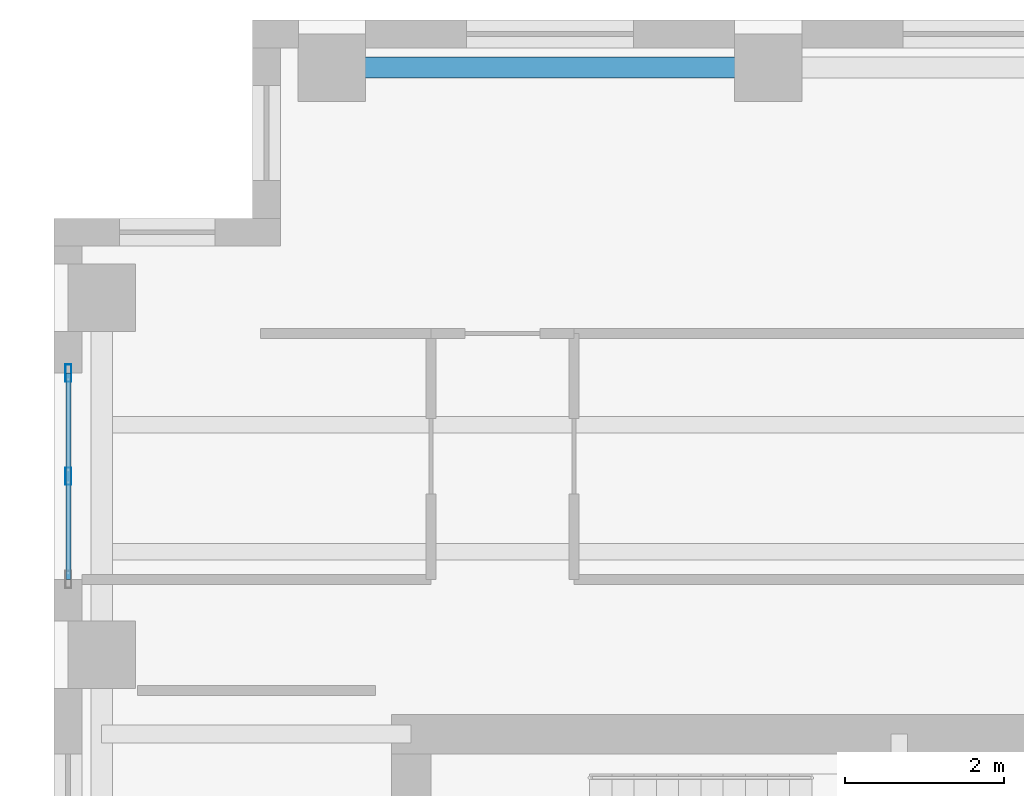
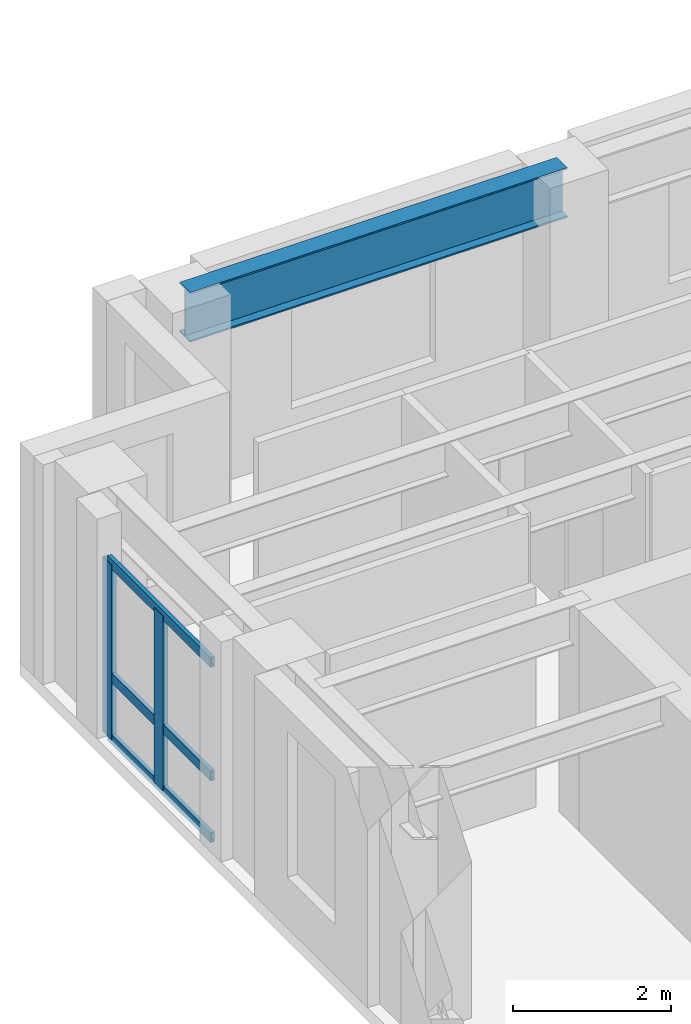
# One storey, part 4 of 11: 5 members, 1 beam, 1 element without a shape of its own.
"""IFC4 building model written with IfcOpenShell, lengths in metres."""

from ifc_helpers import new_model, si_unit, direction, frame, origin, origin_2d, place, context, subcontext, project, spatial, hollow_rectangle, i_section, extrude, source, transform, mapped, material, layer, layer_set, material_profile, profile_set, type_object, element, aggregate, save


model = new_model("IFC4")

# Units and contexts
model_context = context("Model", 3, precision=1e-05, world=origin(), true_north=direction((0.0, 1.0)))
body_context = subcontext(model_context, "Body", "Model", "MODEL_VIEW")
ifc_project = project(units=[si_unit("LENGTHUNIT", "METRE"), si_unit("AREAUNIT", "SQUARE_METRE"), si_unit("VOLUMEUNIT", "CUBIC_METRE"), si_unit("PLANEANGLEUNIT", "RADIAN"), si_unit("MASSUNIT", "GRAM", prefix="KILO")], contexts=[model_context])

# Site, building, storey
site_placement = place(None, origin())
site = spatial("IfcSite", under=ifc_project, at=site_placement, CompositionType="ELEMENT")
building_placement = place(site_placement, origin())
building = spatial("IfcBuilding", under=site, at=building_placement, Name="Kharzan Plaza Tower", CompositionType="ELEMENT")
storey_placement = place(building_placement, frame((0.0, 0.0, 262.800048828125)))
storey = spatial("IfcBuildingStorey", under=building, at=storey_placement, Name="L71", CompositionType="ELEMENT", Elevation=262.800048828125)

# Curtain wall, members
ifc_material_1 = material(Name="Unitised Bronze-Anodized Aluminium and Low-E Glass", Category="aluminium")
ifc_layer = layer(ifc_material_1, 0.199951171875)
ifc_layer_set = layer_set([ifc_layer], Name="Unitised Bronze-Anodized Aluminium and Low-E Glass")
curtain_wall_type = type_object("IfcCurtainWallType", Name="CW-EXEC-5", PredefinedType="NOTDEFINED", material=ifc_layer_set)
curtain_wall_placement = place(storey_placement, origin())
curtain_wall = element("IfcCurtainWall", 1, at=curtain_wall_placement, inside=storey, type_object=curtain_wall_type, Name="L71 Upper Executive Setback Panoramic Curtain Wall", PredefinedType="NOTDEFINED")
ifc_material_2 = material(Name="Anodized Bronze Aluminium", Category="aluminium")
ifc_material_profile_1 = material_profile(ifc_material_2, hollow_rectangle(XDim=0.074951171875, YDim=0.219970703125, WallThickness=0.00390625, at=origin_2d()), Name="ALU-M220x75x4")
ifc_profile_set_1 = profile_set([ifc_material_profile_1], Name="Anodized Bronze Aluminium")
member_type_1 = type_object("IfcMemberType", Name="MEM-CW-MUL200", PredefinedType="MULLION", material=ifc_profile_set_1)
shared_shape_1 = source(origin(), body_context, "Body", "SweptSolid", [
    extrude(hollow_rectangle(XDim=0.074951171875, YDim=0.219970703125, WallThickness=0.00390625, at=origin_2d()), origin(), (0.0, 0.0, 1.0), 2.699951171875),
])
member_1_placement = place(storey_placement, frame((0.179931640625, 32.75, 0.0), z_axis=(0.0, 0.0, 1.0), x_axis=(1.0, 0.0, 0.0)))
member_1 = element("IfcMember", 2, at=member_1_placement, type_object=member_type_1, Name="L71 Curtain-Wall Mullion 01", PredefinedType="MULLION", context=body_context, shape_type="MappedRepresentation", body=[
    mapped(shared_shape_1, transform((0.0, 0.0, 0.0), x_axis=(1.0, 0.0, 0.0), y_axis=(0.0, 1.0, 0.0), z_axis=(0.0, 0.0, 1.0))),
])
member_2_placement = place(storey_placement, frame((0.179931640625, 34.050048828125, 0.0), z_axis=(0.0, 0.0, 1.0), x_axis=(1.0, 0.0, 0.0)))
member_2 = element("IfcMember", 3, at=member_2_placement, type_object=member_type_1, Name="L71 Curtain-Wall Mullion 02", PredefinedType="MULLION", context=body_context, shape_type="MappedRepresentation", body=[
    mapped(shared_shape_1, transform((0.0, 0.0, 0.0), x_axis=(1.0, 0.0, 0.0), y_axis=(0.0, 1.0, 0.0), z_axis=(0.0, 0.0, 1.0))),
])

# Beam
ifc_material_3 = material(Name="Steel S355", Category="steel")
ifc_material_profile_2 = material_profile(ifc_material_3, i_section(OverallWidth=0.26708984375, OverallDepth=0.76611328125, WebThickness=0.014892578125, FlangeThickness=0.023681640625, at=origin_2d()), Name="W760x185")
ifc_profile_set_2 = profile_set([ifc_material_profile_2], Name="Steel S355")
beam_type = type_object("IfcBeamType", Name="BM-SP760B", PredefinedType="SPANDREL", material=ifc_profile_set_2)
shared_shape_2 = source(origin(), body_context, "Body", "SweptSolid", [
    extrude(i_section(OverallWidth=0.26708984375, OverallDepth=0.76611328125, WebThickness=0.014892578125, FlangeThickness=0.023681640625, at=origin_2d()), origin(), (0.0, 0.0, 1.0), 5.5),
])
beam_placement = place(storey_placement, frame((3.5, 37.89990234375, 3.016845703125), z_axis=(1.0, 0.0, 0.0), x_axis=(0.0, 1.0, 0.0)))
element("IfcBeam", 4, at=beam_placement, inside=storey, type_object=beam_type, Name="L71 Perimeter Tube Spandrel", PredefinedType="SPANDREL", context=body_context, shape_type="MappedRepresentation", body=[
    mapped(shared_shape_2, transform((0.0, 0.0, 0.0), x_axis=(1.0, 0.0, 0.0), y_axis=(0.0, 1.0, 0.0), z_axis=(0.0, 0.0, 1.0))),
])

# Member
ifc_material_profile_3 = material_profile(ifc_material_2, hollow_rectangle(XDim=0.06005859375, YDim=0.14990234375, WallThickness=0.00341796875, at=origin_2d()), Name="ALU-T150x60x3.5")
ifc_profile_set_3 = profile_set([ifc_material_profile_3], Name="Anodized Bronze Aluminium")
member_type_2 = type_object("IfcMemberType", Name="MEM-CW-TRN150", PredefinedType="USERDEFINED", material=ifc_profile_set_3)
shared_shape_3 = source(origin(), body_context, "Body", "SweptSolid", [
    extrude(hollow_rectangle(XDim=0.06005859375, YDim=0.14990234375, WallThickness=0.00341796875, at=origin_2d()), origin(), (0.0, 0.0, 1.0), 2.60009765625),
])
member_3_placement = place(storey_placement, frame((0.179931640625, 31.449951171875, 0.0), z_axis=(0.0, 1.0, 0.0), x_axis=(-1.0, 0.0, 0.0)))
member_3 = element("IfcMember", 5, at=member_3_placement, type_object=member_type_2, Name="L71 Curtain-Wall Transom 1", ObjectType="TRANSOM", PredefinedType="USERDEFINED", context=body_context, shape_type="MappedRepresentation", body=[
    mapped(shared_shape_3, transform((0.0, 0.0, 0.0), x_axis=(1.0, 0.0, 0.0), y_axis=(0.0, 1.0, 0.0), z_axis=(0.0, 0.0, 1.0))),
])

member_4_placement = place(storey_placement, frame((0.179931640625, 31.449951171875, 0.949951171875), z_axis=(0.0, 1.0, 0.0), x_axis=(-1.0, 0.0, 0.0)))
member_4 = element("IfcMember", 6, at=member_4_placement, type_object=member_type_2, Name="L71 Curtain-Wall Transom 2", ObjectType="TRANSOM", PredefinedType="USERDEFINED", context=body_context, shape_type="MappedRepresentation", body=[
    mapped(shared_shape_3, transform((0.0, 0.0, 0.0), x_axis=(1.0, 0.0, 0.0), y_axis=(0.0, 1.0, 0.0), z_axis=(0.0, 0.0, 1.0))),
])

member_5_placement = place(storey_placement, frame((0.179931640625, 31.449951171875, 2.699951171875), z_axis=(0.0, 1.0, 0.0), x_axis=(-1.0, 0.0, 0.0)))
member_5 = element("IfcMember", 7, at=member_5_placement, type_object=member_type_2, Name="L71 Curtain-Wall Transom 3", ObjectType="TRANSOM", PredefinedType="USERDEFINED", context=body_context, shape_type="MappedRepresentation", body=[
    mapped(shared_shape_3, transform((0.0, 0.0, 0.0), x_axis=(1.0, 0.0, 0.0), y_axis=(0.0, 1.0, 0.0), z_axis=(0.0, 0.0, 1.0))),
])

aggregate(curtain_wall, [member_1, member_2, member_3, member_4, member_5])

save(model, "model.ifc")
